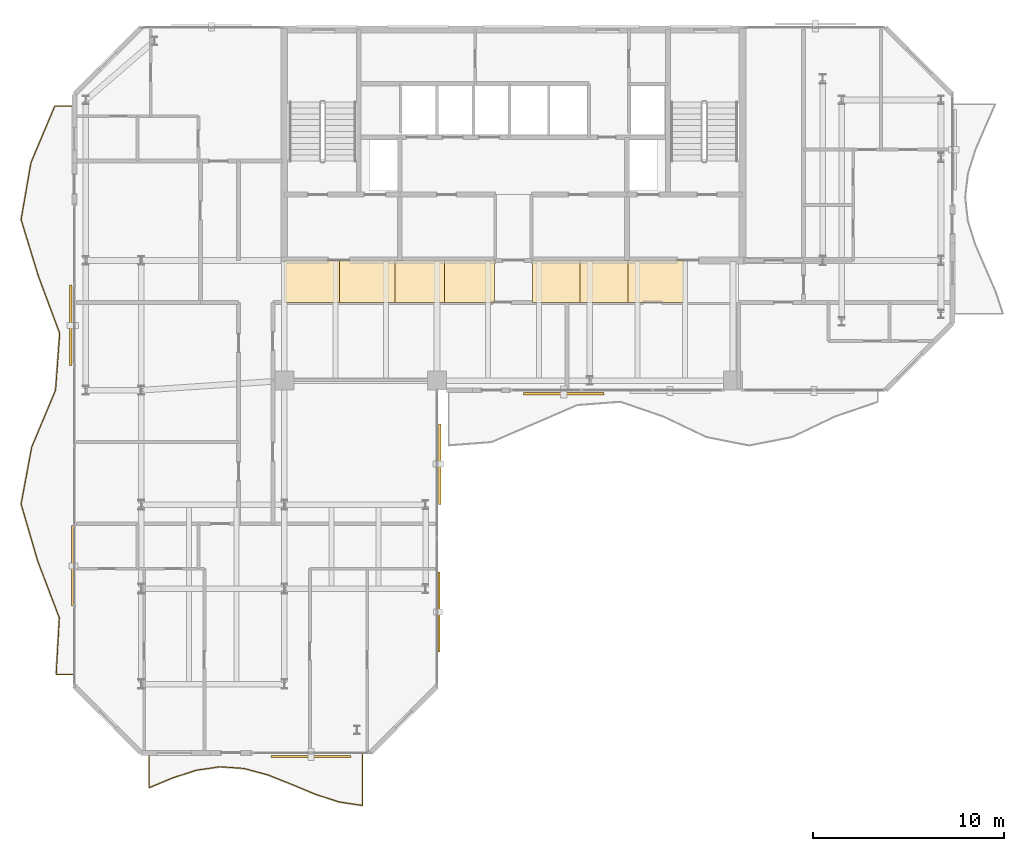
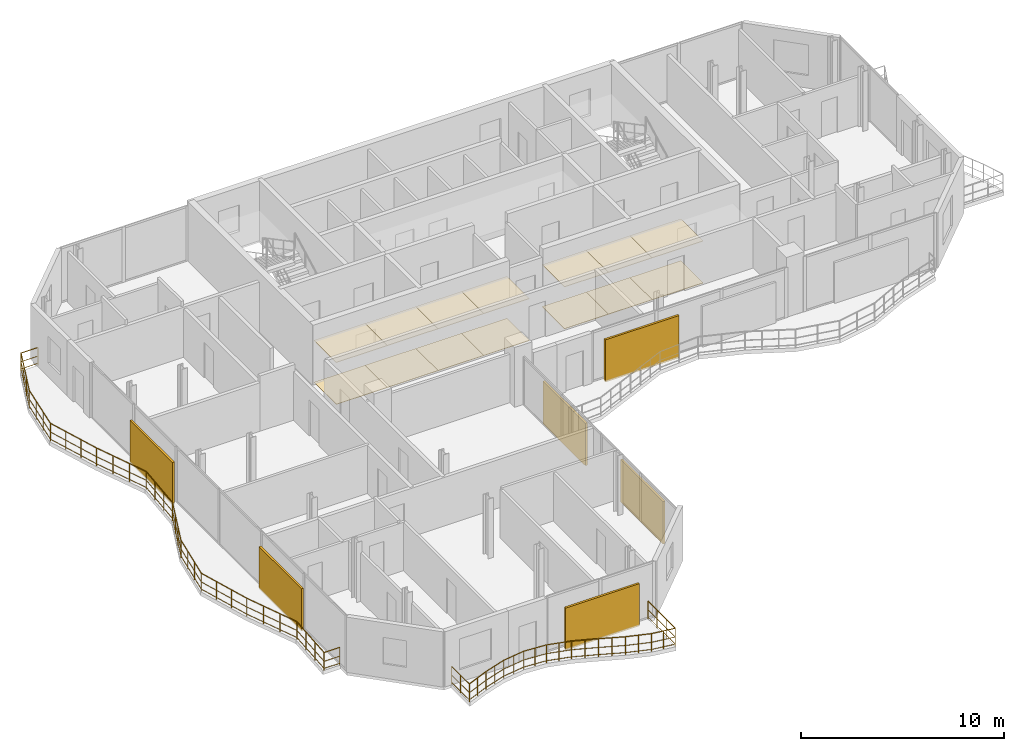
# One storey, part 21 of 23: 14 coverings, 6 shading devices, 2 railings.
"""IFC4 building model written with IfcOpenShell, lengths in metres."""

from ifc_helpers import new_model, si_unit, direction, frame, origin, origin_2d, place, context, subcontext, project, spatial, polyline, rectangle, circle, outline, extrude, material, layer, layer_set, type_object, element, save


model = new_model("IFC4")

# Units and contexts
model_context = context("Model", 3, precision=1e-05, world=origin(), true_north=direction((0.0, 1.0)))
body_context = subcontext(model_context, "Body", "Model", "MODEL_VIEW")
ifc_project = project(units=[si_unit("LENGTHUNIT", "METRE"), si_unit("AREAUNIT", "SQUARE_METRE"), si_unit("VOLUMEUNIT", "CUBIC_METRE"), si_unit("PLANEANGLEUNIT", "RADIAN"), si_unit("MASSUNIT", "GRAM", prefix="KILO")], contexts=[model_context])

# Site, building, storey
site_placement = place(None, origin())
site = spatial("IfcSite", under=ifc_project, at=site_placement, CompositionType="ELEMENT")
building_placement = place(site_placement, origin())
building = spatial("IfcBuilding", under=site, at=building_placement, Name="Catumbela Crestline Tower", CompositionType="ELEMENT")
storey_placement = place(building_placement, frame((0.0, 0.0, 197.4)))
storey = spatial("IfcBuildingStorey", under=building, at=storey_placement, Name="L51", CompositionType="ELEMENT", Elevation=197.4)

# Coverings
ifc_material_1 = material(Name="Mineral-fibre acoustic ceiling")
ifc_layer_1 = layer(ifc_material_1, 0.03, Name="Mineral-fibre acoustic ceiling")
ifc_layer_set_1 = layer_set([ifc_layer_1], Name="Mineral-fibre acoustic ceiling")
covering_type_1 = type_object("IfcCoveringType", Name="CC-AC", PredefinedType="CEILING", material=ifc_layer_set_1)
covering_1_placement = place(storey_placement, frame((0.0, 0.0, 2.52)))
element("IfcCovering", 1, at=covering_1_placement, inside=storey, type_object=covering_type_1, Name="L51 Corridor Acoustic Ceiling Bay 1", PredefinedType="CEILING", context=body_context, shape_type="SweptSolid", body=[
    extrude(outline(polyline([(16.0, 28.6), (18.9, 28.6), (18.9, 30.8), (16.0, 30.8), (16.0, 28.6)])), origin(), (0.0, 0.0, 1.0), 0.03),
])
covering_2_placement = place(storey_placement, frame((0.0, 0.0, 2.52)))
element("IfcCovering", 2, at=covering_2_placement, inside=storey, type_object=covering_type_1, Name="L51 Corridor Acoustic Ceiling Bay 2", PredefinedType="CEILING", context=body_context, shape_type="SweptSolid", body=[
    extrude(outline(polyline([(18.9, 28.6), (21.8, 28.6), (21.8, 30.8), (18.9, 30.8), (18.9, 28.6)])), origin(), (0.0, 0.0, 1.0), 0.03),
])
covering_3_placement = place(storey_placement, frame((0.0, 0.0, 2.52)))
element("IfcCovering", 3, at=covering_3_placement, inside=storey, type_object=covering_type_1, Name="L51 Corridor Acoustic Ceiling Bay 3", PredefinedType="CEILING", context=body_context, shape_type="SweptSolid", body=[
    extrude(outline(polyline([(21.8, 28.6), (24.4, 28.6), (24.4, 30.8), (21.8, 30.8), (21.8, 28.6)])), origin(), (0.0, 0.0, 1.0), 0.03),
])
covering_4_placement = place(storey_placement, frame((0.0, 0.0, 2.52)))
element("IfcCovering", 4, at=covering_4_placement, inside=storey, type_object=covering_type_1, Name="L51 Corridor Acoustic Ceiling Bay 4", PredefinedType="CEILING", context=body_context, shape_type="SweptSolid", body=[
    extrude(outline(polyline([(24.4, 28.6), (27.0, 28.6), (27.0, 30.8), (24.4, 30.8), (24.4, 28.6)])), origin(), (0.0, 0.0, 1.0), 0.03),
])
covering_5_placement = place(storey_placement, frame((0.0, 0.0, 2.52)))
element("IfcCovering", 5, at=covering_5_placement, inside=storey, type_object=covering_type_1, Name="L51 Corridor Acoustic Ceiling Bay 5", PredefinedType="CEILING", context=body_context, shape_type="SweptSolid", body=[
    extrude(outline(polyline([(29.0, 28.6), (31.5, 28.6), (31.5, 30.8), (29.0, 30.8), (29.0, 28.6)])), origin(), (0.0, 0.0, 1.0), 0.03),
])
covering_6_placement = place(storey_placement, frame((0.0, 0.0, 2.52)))
element("IfcCovering", 6, at=covering_6_placement, inside=storey, type_object=covering_type_1, Name="L51 Corridor Acoustic Ceiling Bay 6", PredefinedType="CEILING", context=body_context, shape_type="SweptSolid", body=[
    extrude(outline(polyline([(31.5, 28.6), (34.0, 28.6), (34.0, 30.8), (31.5, 30.8), (31.5, 28.6)])), origin(), (0.0, 0.0, 1.0), 0.03),
])
covering_7_placement = place(storey_placement, frame((0.0, 0.0, 2.52)))
element("IfcCovering", 7, at=covering_7_placement, inside=storey, type_object=covering_type_1, Name="L51 Corridor Acoustic Ceiling Bay 7", PredefinedType="CEILING", context=body_context, shape_type="SweptSolid", body=[
    extrude(outline(polyline([(34.0, 28.6), (36.9, 28.6), (36.9, 30.8), (34.0, 30.8), (34.0, 28.6)])), origin(), (0.0, 0.0, 1.0), 0.03),
])
ifc_material_2 = material(Name="Angolan grey-ochre granite", Category="masonry")
ifc_layer_2 = layer(ifc_material_2, 0.025, Name="Angolan grey-ochre granite")
ifc_layer_set_2 = layer_set([ifc_layer_2], Name="Angolan grey-ochre granite")
covering_type_2 = type_object("IfcCoveringType", Name="CF-GR", PredefinedType="FLOORING", material=ifc_layer_set_2)
covering_8_placement = place(storey_placement, origin())
element("IfcCovering", 8, at=covering_8_placement, inside=storey, type_object=covering_type_2, Name="L51 Corridor Granite Flooring Bay 1", PredefinedType="FLOORING", context=body_context, shape_type="SweptSolid", body=[
    extrude(outline(polyline([(16.0, 28.6), (18.9, 28.6), (18.9, 30.8), (16.0, 30.8), (16.0, 28.6)])), origin(), (0.0, 0.0, 1.0), 0.025),
])
covering_9_placement = place(storey_placement, origin())
element("IfcCovering", 9, at=covering_9_placement, inside=storey, type_object=covering_type_2, Name="L51 Corridor Granite Flooring Bay 2", PredefinedType="FLOORING", context=body_context, shape_type="SweptSolid", body=[
    extrude(outline(polyline([(18.9, 28.6), (21.8, 28.6), (21.8, 30.8), (18.9, 30.8), (18.9, 28.6)])), origin(), (0.0, 0.0, 1.0), 0.025),
])
covering_10_placement = place(storey_placement, origin())
element("IfcCovering", 10, at=covering_10_placement, inside=storey, type_object=covering_type_2, Name="L51 Corridor Granite Flooring Bay 3", PredefinedType="FLOORING", context=body_context, shape_type="SweptSolid", body=[
    extrude(outline(polyline([(21.8, 28.6), (24.4, 28.6), (24.4, 30.8), (21.8, 30.8), (21.8, 28.6)])), origin(), (0.0, 0.0, 1.0), 0.025),
])
covering_11_placement = place(storey_placement, origin())
element("IfcCovering", 11, at=covering_11_placement, inside=storey, type_object=covering_type_2, Name="L51 Corridor Granite Flooring Bay 4", PredefinedType="FLOORING", context=body_context, shape_type="SweptSolid", body=[
    extrude(outline(polyline([(24.4, 28.6), (27.0, 28.6), (27.0, 30.8), (24.4, 30.8), (24.4, 28.6)])), origin(), (0.0, 0.0, 1.0), 0.025),
])
covering_12_placement = place(storey_placement, origin())
element("IfcCovering", 12, at=covering_12_placement, inside=storey, type_object=covering_type_2, Name="L51 Corridor Granite Flooring Bay 5", PredefinedType="FLOORING", context=body_context, shape_type="SweptSolid", body=[
    extrude(outline(polyline([(29.0, 28.6), (31.5, 28.6), (31.5, 30.8), (29.0, 30.8), (29.0, 28.6)])), origin(), (0.0, 0.0, 1.0), 0.025),
])
covering_13_placement = place(storey_placement, origin())
element("IfcCovering", 13, at=covering_13_placement, inside=storey, type_object=covering_type_2, Name="L51 Corridor Granite Flooring Bay 6", PredefinedType="FLOORING", context=body_context, shape_type="SweptSolid", body=[
    extrude(outline(polyline([(31.5, 28.6), (34.0, 28.6), (34.0, 30.8), (31.5, 30.8), (31.5, 28.6)])), origin(), (0.0, 0.0, 1.0), 0.025),
])
covering_14_placement = place(storey_placement, origin())
element("IfcCovering", 14, at=covering_14_placement, inside=storey, type_object=covering_type_2, Name="L51 Corridor Granite Flooring Bay 7", PredefinedType="FLOORING", context=body_context, shape_type="SweptSolid", body=[
    extrude(outline(polyline([(34.0, 28.6), (36.9, 28.6), (36.9, 30.8), (34.0, 30.8), (34.0, 28.6)])), origin(), (0.0, 0.0, 1.0), 0.025),
])

# Railings
ifc_material_3 = material(Name="Stainless steel EN 1.4401", Category="steel")
railing_type = type_object("IfcRailingType", Name="RB-1100", PredefinedType="BALUSTRADE", material=ifc_material_3)
railing_1_placement = place(storey_placement, frame((8.9, 4.94, 0.0)))
element("IfcRailing", 15, at=railing_1_placement, inside=storey, type_object=railing_type, Name="L51 Private Wave Balcony Balustrade 3", PredefinedType="BALUSTRADE", context=body_context, shape_type="SweptSolid", body=[
    extrude(circle(Radius=0.024, at=origin_2d()), frame((0.0, 0.0, 1.076), z_axis=(0.0, -1.0, 0.0), x_axis=(1.0, 0.0, 0.0)), (0.0, 0.0, 1.0), 1.7666),
    extrude(circle(Radius=0.0156, at=origin_2d()), frame((0.0, 0.0, 0.55), z_axis=(0.0, -1.0, 0.0), x_axis=(1.0, 0.0, 0.0)), (0.0, 0.0, 1.0), 1.7666),
    extrude(circle(Radius=0.0156, at=origin_2d()), frame((0.0, 0.0, 0.12), z_axis=(0.0, -1.0, 0.0), x_axis=(1.0, 0.0, 0.0)), (0.0, 0.0, 1.0), 1.7666),
    extrude(circle(Radius=0.024, at=origin_2d()), frame((0.0, -1.7666, 1.076), z_axis=(0.923287517011, 0.384109568914, 0.0), x_axis=(-0.384109568914, 0.923287517011, 0.0)), (0.0, 0.0, 1.0), 1.3478),
    extrude(circle(Radius=0.0156, at=origin_2d()), frame((0.0, -1.7666, 0.55), z_axis=(0.923287517011, 0.384109568914, 0.0), x_axis=(-0.384109568914, 0.923287517011, 0.0)), (0.0, 0.0, 1.0), 1.3478),
    extrude(circle(Radius=0.0156, at=origin_2d()), frame((0.0, -1.7666, 0.12), z_axis=(0.923287517011, 0.384109568914, 0.0), x_axis=(-0.384109568914, 0.923287517011, 0.0)), (0.0, 0.0, 1.0), 1.3478),
    extrude(circle(Radius=0.024, at=origin_2d()), frame((1.2444, -1.2489, 1.076), z_axis=(0.951339765212, 0.30814388056, 0.0), x_axis=(-0.30814388056, 0.951339765212, 0.0)), (0.0, 0.0, 1.0), 1.3082),
    extrude(circle(Radius=0.0156, at=origin_2d()), frame((1.2444, -1.2489, 0.55), z_axis=(0.951339765212, 0.30814388056, 0.0), x_axis=(-0.30814388056, 0.951339765212, 0.0)), (0.0, 0.0, 1.0), 1.3082),
    extrude(circle(Radius=0.0156, at=origin_2d()), frame((1.2444, -1.2489, 0.12), z_axis=(0.951339765212, 0.30814388056, 0.0), x_axis=(-0.30814388056, 0.951339765212, 0.0)), (0.0, 0.0, 1.0), 1.3082),
    extrude(circle(Radius=0.024, at=origin_2d()), frame((2.4889, -0.8458, 1.076), z_axis=(0.989530142127, 0.144326358724, 0.0), x_axis=(-0.144326358724, 0.989530142127, 0.0)), (0.0, 0.0, 1.0), 1.2576),
    extrude(circle(Radius=0.0156, at=origin_2d()), frame((2.4889, -0.8458, 0.55), z_axis=(0.989530142127, 0.144326358724, 0.0), x_axis=(-0.144326358724, 0.989530142127, 0.0)), (0.0, 0.0, 1.0), 1.2576),
    extrude(circle(Radius=0.0156, at=origin_2d()), frame((2.4889, -0.8458, 0.12), z_axis=(0.989530142127, 0.144326358724, 0.0), x_axis=(-0.144326358724, 0.989530142127, 0.0)), (0.0, 0.0, 1.0), 1.2576),
    extrude(circle(Radius=0.024, at=origin_2d()), frame((3.7333, -0.6643, 1.076), z_axis=(0.997492357437, -0.070774266904, 0.0), x_axis=(0.070774266904, 0.997492357437, 0.0)), (0.0, 0.0, 1.0), 1.2476),
    extrude(circle(Radius=0.0156, at=origin_2d()), frame((3.7333, -0.6643, 0.55), z_axis=(0.997492357437, -0.070774266904, 0.0), x_axis=(0.070774266904, 0.997492357437, 0.0)), (0.0, 0.0, 1.0), 1.2476),
    extrude(circle(Radius=0.0156, at=origin_2d()), frame((3.7333, -0.6643, 0.12), z_axis=(0.997492357437, -0.070774266904, 0.0), x_axis=(0.070774266904, 0.997492357437, 0.0)), (0.0, 0.0, 1.0), 1.2476),
    extrude(circle(Radius=0.024, at=origin_2d()), frame((4.9778, -0.7526, 1.076), z_axis=(0.965699627177, -0.259661760892, 0.0), x_axis=(0.259661760892, 0.965699627177, 0.0)), (0.0, 0.0, 1.0), 1.2886),
    extrude(circle(Radius=0.0156, at=origin_2d()), frame((4.9778, -0.7526, 0.55), z_axis=(0.965699627177, -0.259661760892, 0.0), x_axis=(0.259661760892, 0.965699627177, 0.0)), (0.0, 0.0, 1.0), 1.2886),
    extrude(circle(Radius=0.0156, at=origin_2d()), frame((4.9778, -0.7526, 0.12), z_axis=(0.965699627177, -0.259661760892, 0.0), x_axis=(0.259661760892, 0.965699627177, 0.0)), (0.0, 0.0, 1.0), 1.2886),
    extrude(circle(Radius=0.024, at=origin_2d()), frame((6.2222, -1.0872, 1.076), z_axis=(0.929938140498, -0.36771599754, 0.0), x_axis=(0.36771599754, 0.929938140498, 0.0)), (0.0, 0.0, 1.0), 1.3383),
    extrude(circle(Radius=0.0156, at=origin_2d()), frame((6.2222, -1.0872, 0.55), z_axis=(0.929938140498, -0.36771599754, 0.0), x_axis=(0.36771599754, 0.929938140498, 0.0)), (0.0, 0.0, 1.0), 1.3383),
    extrude(circle(Radius=0.0156, at=origin_2d()), frame((6.2222, -1.0872, 0.12), z_axis=(0.929938140498, -0.36771599754, 0.0), x_axis=(0.36771599754, 0.929938140498, 0.0)), (0.0, 0.0, 1.0), 1.3383),
    extrude(circle(Radius=0.024, at=origin_2d()), frame((7.4667, -1.5793, 1.076), z_axis=(0.92299790371, -0.38480497625, 0.0), x_axis=(0.38480497625, 0.92299790371, 0.0)), (0.0, 0.0, 1.0), 1.3482),
    extrude(circle(Radius=0.0156, at=origin_2d()), frame((7.4667, -1.5793, 0.55), z_axis=(0.92299790371, -0.38480497625, 0.0), x_axis=(0.38480497625, 0.92299790371, 0.0)), (0.0, 0.0, 1.0), 1.3482),
    extrude(circle(Radius=0.0156, at=origin_2d()), frame((7.4667, -1.5793, 0.12), z_axis=(0.92299790371, -0.38480497625, 0.0), x_axis=(0.38480497625, 0.92299790371, 0.0)), (0.0, 0.0, 1.0), 1.3482),
    extrude(circle(Radius=0.024, at=origin_2d()), frame((8.7111, -2.0981, 1.076), z_axis=(0.950282150151, -0.311390165393, 0.0), x_axis=(0.311390165393, 0.950282150151, 0.0)), (0.0, 0.0, 1.0), 1.3096),
    extrude(circle(Radius=0.0156, at=origin_2d()), frame((8.7111, -2.0981, 0.55), z_axis=(0.950282150151, -0.311390165393, 0.0), x_axis=(0.311390165393, 0.950282150151, 0.0)), (0.0, 0.0, 1.0), 1.3096),
    extrude(circle(Radius=0.0156, at=origin_2d()), frame((8.7111, -2.0981, 0.12), z_axis=(0.950282150151, -0.311390165393, 0.0), x_axis=(0.311390165393, 0.950282150151, 0.0)), (0.0, 0.0, 1.0), 1.3096),
    extrude(circle(Radius=0.024, at=origin_2d()), frame((9.9556, -2.5059, 1.076), z_axis=(0.98873261545, -0.149692401761, 0.0), x_axis=(0.149692401761, 0.98873261545, 0.0)), (0.0, 0.0, 1.0), 1.2586),
    extrude(circle(Radius=0.0156, at=origin_2d()), frame((9.9556, -2.5059, 0.55), z_axis=(0.98873261545, -0.149692401761, 0.0), x_axis=(0.149692401761, 0.98873261545, 0.0)), (0.0, 0.0, 1.0), 1.2586),
    extrude(circle(Radius=0.0156, at=origin_2d()), frame((9.9556, -2.5059, 0.12), z_axis=(0.98873261545, -0.149692401761, 0.0), x_axis=(0.149692401761, 0.98873261545, 0.0)), (0.0, 0.0, 1.0), 1.2586),
    extrude(circle(Radius=0.024, at=origin_2d()), frame((11.2, -2.6943, 1.076), z_axis=(0.0, 1.0, 0.0), x_axis=(-1.0, 0.0, 0.0)), (0.0, 0.0, 1.0), 2.6943),
    extrude(circle(Radius=0.0156, at=origin_2d()), frame((11.2, -2.6943, 0.55), z_axis=(0.0, 1.0, 0.0), x_axis=(-1.0, 0.0, 0.0)), (0.0, 0.0, 1.0), 2.6943),
    extrude(circle(Radius=0.0156, at=origin_2d()), frame((11.2, -2.6943, 0.12), z_axis=(0.0, 1.0, 0.0), x_axis=(-1.0, 0.0, 0.0)), (0.0, 0.0, 1.0), 2.6943),
    extrude(circle(Radius=0.021, at=origin_2d()), origin(), (0.0, 0.0, 1.0), 1.052),
    extrude(circle(Radius=0.021, at=origin_2d()), frame((0.0, -0.8833, 0.0)), (0.0, 0.0, 1.0), 1.052),
    extrude(circle(Radius=0.021, at=origin_2d()), frame((0.0, -1.7666, 0.0)), (0.0, 0.0, 1.0), 1.052),
    extrude(circle(Radius=0.021, at=origin_2d()), frame((0.6222, -1.5078, 0.0)), (0.0, 0.0, 1.0), 1.052),
    extrude(circle(Radius=0.021, at=origin_2d()), frame((1.2444, -1.2489, 0.0)), (0.0, 0.0, 1.0), 1.052),
    extrude(circle(Radius=0.021, at=origin_2d()), frame((1.8666, -1.0474, 0.0)), (0.0, 0.0, 1.0), 1.052),
    extrude(circle(Radius=0.021, at=origin_2d()), frame((2.4889, -0.8458, 0.0)), (0.0, 0.0, 1.0), 1.052),
    extrude(circle(Radius=0.021, at=origin_2d()), frame((3.1111, -0.7551, 0.0)), (0.0, 0.0, 1.0), 1.052),
    extrude(circle(Radius=0.021, at=origin_2d()), frame((3.7333, -0.6643, 0.0)), (0.0, 0.0, 1.0), 1.052),
    extrude(circle(Radius=0.021, at=origin_2d()), frame((4.3556, -0.7085, 0.0)), (0.0, 0.0, 1.0), 1.052),
    extrude(circle(Radius=0.021, at=origin_2d()), frame((4.9778, -0.7526, 0.0)), (0.0, 0.0, 1.0), 1.052),
    extrude(circle(Radius=0.021, at=origin_2d()), frame((5.6, -0.9199, 0.0)), (0.0, 0.0, 1.0), 1.052),
    extrude(circle(Radius=0.021, at=origin_2d()), frame((6.2222, -1.0872, 0.0)), (0.0, 0.0, 1.0), 1.052),
    extrude(circle(Radius=0.021, at=origin_2d()), frame((6.8444, -1.3333, 0.0)), (0.0, 0.0, 1.0), 1.052),
    extrude(circle(Radius=0.021, at=origin_2d()), frame((7.4667, -1.5793, 0.0)), (0.0, 0.0, 1.0), 1.052),
    extrude(circle(Radius=0.021, at=origin_2d()), frame((8.0889, -1.8387, 0.0)), (0.0, 0.0, 1.0), 1.052),
    extrude(circle(Radius=0.021, at=origin_2d()), frame((8.7111, -2.0981, 0.0)), (0.0, 0.0, 1.0), 1.052),
    extrude(circle(Radius=0.021, at=origin_2d()), frame((9.3334, -2.302, 0.0)), (0.0, 0.0, 1.0), 1.052),
    extrude(circle(Radius=0.021, at=origin_2d()), frame((9.9556, -2.5059, 0.0)), (0.0, 0.0, 1.0), 1.052),
    extrude(circle(Radius=0.021, at=origin_2d()), frame((10.5778, -2.6001, 0.0)), (0.0, 0.0, 1.0), 1.052),
    extrude(circle(Radius=0.021, at=origin_2d()), frame((11.2, -2.6943, 0.0)), (0.0, 0.0, 1.0), 1.052),
    extrude(circle(Radius=0.021, at=origin_2d()), frame((11.2, -1.7962, 0.0)), (0.0, 0.0, 1.0), 1.052),
    extrude(circle(Radius=0.021, at=origin_2d()), frame((11.2, -0.8981, 0.0)), (0.0, 0.0, 1.0), 1.052),
    extrude(circle(Radius=0.021, at=origin_2d()), frame((11.2, 0.0, 0.0)), (0.0, 0.0, 1.0), 1.052),
])
railing_2_placement = place(storey_placement, frame((4.94, 38.9, 0.0)))
element("IfcRailing", 16, at=railing_2_placement, inside=storey, type_object=railing_type, Name="L51 Private Wave Balcony Balustrade 4", PredefinedType="BALUSTRADE", context=body_context, shape_type="SweptSolid", body=[
    extrude(circle(Radius=0.024, at=origin_2d()), frame((0.0, 0.0, 1.076), z_axis=(-1.0, 0.0, 0.0), x_axis=(0.0, -1.0, 0.0)), (0.0, 0.0, 1.0), 0.9588),
    extrude(circle(Radius=0.0156, at=origin_2d()), frame((0.0, 0.0, 0.55), z_axis=(-1.0, 0.0, 0.0), x_axis=(0.0, -1.0, 0.0)), (0.0, 0.0, 1.0), 0.9588),
    extrude(circle(Radius=0.0156, at=origin_2d()), frame((0.0, 0.0, 0.12), z_axis=(-1.0, 0.0, 0.0), x_axis=(0.0, -1.0, 0.0)), (0.0, 0.0, 1.0), 0.9588),
    extrude(circle(Radius=0.024, at=origin_2d()), frame((-0.9588, 0.0, 1.076), z_axis=(-0.388126128532, -0.92160626536, 0.0), x_axis=(0.92160626536, -0.388126128532, 0.0)), (0.0, 0.0, 1.0), 3.2335),
    extrude(circle(Radius=0.0156, at=origin_2d()), frame((-0.9588, 0.0, 0.55), z_axis=(-0.388126128532, -0.92160626536, 0.0), x_axis=(0.92160626536, -0.388126128532, 0.0)), (0.0, 0.0, 1.0), 3.2335),
    extrude(circle(Radius=0.0156, at=origin_2d()), frame((-0.9588, 0.0, 0.12), z_axis=(-0.388126128532, -0.92160626536, 0.0), x_axis=(0.92160626536, -0.388126128532, 0.0)), (0.0, 0.0, 1.0), 3.2335),
    extrude(circle(Radius=0.024, at=origin_2d()), frame((-2.2138, -2.98, 1.076), z_axis=(-0.170679721807, -0.985326561381, 0.0), x_axis=(0.985326561381, -0.170679721807, 0.0)), (0.0, 0.0, 1.0), 3.0244),
    extrude(circle(Radius=0.0156, at=origin_2d()), frame((-2.2138, -2.98, 0.55), z_axis=(-0.170679721807, -0.985326561381, 0.0), x_axis=(0.985326561381, -0.170679721807, 0.0)), (0.0, 0.0, 1.0), 3.0244),
    extrude(circle(Radius=0.0156, at=origin_2d()), frame((-2.2138, -2.98, 0.12), z_axis=(-0.170679721807, -0.985326561381, 0.0), x_axis=(0.985326561381, -0.170679721807, 0.0)), (0.0, 0.0, 1.0), 3.0244),
    extrude(circle(Radius=0.024, at=origin_2d()), frame((-2.73, -5.96, 1.076), z_axis=(0.292642421553, -0.956221947619, 0.0), x_axis=(0.956221947619, 0.292642421553, 0.0)), (0.0, 0.0, 1.0), 3.1164),
    extrude(circle(Radius=0.0156, at=origin_2d()), frame((-2.73, -5.96, 0.55), z_axis=(0.292642421553, -0.956221947619, 0.0), x_axis=(0.956221947619, 0.292642421553, 0.0)), (0.0, 0.0, 1.0), 3.1164),
    extrude(circle(Radius=0.0156, at=origin_2d()), frame((-2.73, -5.96, 0.12), z_axis=(0.292642421553, -0.956221947619, 0.0), x_axis=(0.956221947619, 0.292642421553, 0.0)), (0.0, 0.0, 1.0), 3.1164),
    extrude(circle(Radius=0.024, at=origin_2d()), frame((-1.818, -8.94, 1.076), z_axis=(0.349110106043, -0.93708171141, 0.0), x_axis=(0.93708171141, 0.349110106043, 0.0)), (0.0, 0.0, 1.0), 3.1801),
    extrude(circle(Radius=0.0156, at=origin_2d()), frame((-1.818, -8.94, 0.55), z_axis=(0.349110106043, -0.93708171141, 0.0), x_axis=(0.93708171141, 0.349110106043, 0.0)), (0.0, 0.0, 1.0), 3.1801),
    extrude(circle(Radius=0.0156, at=origin_2d()), frame((-1.818, -8.94, 0.12), z_axis=(0.349110106043, -0.93708171141, 0.0), x_axis=(0.93708171141, 0.349110106043, 0.0)), (0.0, 0.0, 1.0), 3.1801),
    extrude(circle(Radius=0.024, at=origin_2d()), frame((-0.7078, -11.92, 1.076), z_axis=(-0.072926109992, -0.997337346379, 0.0), x_axis=(0.997337346379, -0.072926109992, 0.0)), (0.0, 0.0, 1.0), 2.988),
    extrude(circle(Radius=0.0156, at=origin_2d()), frame((-0.7078, -11.92, 0.55), z_axis=(-0.072926109992, -0.997337346379, 0.0), x_axis=(0.997337346379, -0.072926109992, 0.0)), (0.0, 0.0, 1.0), 2.988),
    extrude(circle(Radius=0.0156, at=origin_2d()), frame((-0.7078, -11.92, 0.12), z_axis=(-0.072926109992, -0.997337346379, 0.0), x_axis=(0.997337346379, -0.072926109992, 0.0)), (0.0, 0.0, 1.0), 2.988),
    extrude(circle(Radius=0.024, at=origin_2d()), frame((-0.9257, -14.9, 1.076), z_axis=(-0.386364078841, -0.922346355, 0.0), x_axis=(0.922346355, -0.386364078841, 0.0)), (0.0, 0.0, 1.0), 3.2309),
    extrude(circle(Radius=0.0156, at=origin_2d()), frame((-0.9257, -14.9, 0.55), z_axis=(-0.386364078841, -0.922346355, 0.0), x_axis=(0.922346355, -0.386364078841, 0.0)), (0.0, 0.0, 1.0), 3.2309),
    extrude(circle(Radius=0.0156, at=origin_2d()), frame((-0.9257, -14.9, 0.12), z_axis=(-0.386364078841, -0.922346355, 0.0), x_axis=(0.922346355, -0.386364078841, 0.0)), (0.0, 0.0, 1.0), 3.2309),
    extrude(circle(Radius=0.024, at=origin_2d()), frame((-2.174, -17.88, 1.076), z_axis=(-0.183412106948, -0.983036112778, 0.0), x_axis=(0.983036112778, -0.183412106948, 0.0)), (0.0, 0.0, 1.0), 3.0314),
    extrude(circle(Radius=0.0156, at=origin_2d()), frame((-2.174, -17.88, 0.55), z_axis=(-0.183412106948, -0.983036112778, 0.0), x_axis=(0.983036112778, -0.183412106948, 0.0)), (0.0, 0.0, 1.0), 3.0314),
    extrude(circle(Radius=0.0156, at=origin_2d()), frame((-2.174, -17.88, 0.12), z_axis=(-0.183412106948, -0.983036112778, 0.0), x_axis=(0.983036112778, -0.183412106948, 0.0)), (0.0, 0.0, 1.0), 3.0314),
    extrude(circle(Radius=0.024, at=origin_2d()), frame((-2.73, -20.86, 1.076), z_axis=(0.279445663044, -0.96016150798, 0.0), x_axis=(0.96016150798, 0.279445663044, 0.0)), (0.0, 0.0, 1.0), 3.1036),
    extrude(circle(Radius=0.0156, at=origin_2d()), frame((-2.73, -20.86, 0.55), z_axis=(0.279445663044, -0.96016150798, 0.0), x_axis=(0.96016150798, 0.279445663044, 0.0)), (0.0, 0.0, 1.0), 3.1036),
    extrude(circle(Radius=0.0156, at=origin_2d()), frame((-2.73, -20.86, 0.12), z_axis=(0.279445663044, -0.96016150798, 0.0), x_axis=(0.96016150798, 0.279445663044, 0.0)), (0.0, 0.0, 1.0), 3.1036),
    extrude(circle(Radius=0.024, at=origin_2d()), frame((-1.8627, -23.84, 1.076), z_axis=(0.355738394707, -0.93458557368, 0.0), x_axis=(0.93458557368, 0.355738394707, 0.0)), (0.0, 0.0, 1.0), 3.1886),
    extrude(circle(Radius=0.0156, at=origin_2d()), frame((-1.8627, -23.84, 0.55), z_axis=(0.355738394707, -0.93458557368, 0.0), x_axis=(0.93458557368, 0.355738394707, 0.0)), (0.0, 0.0, 1.0), 3.1886),
    extrude(circle(Radius=0.0156, at=origin_2d()), frame((-1.8627, -23.84, 0.12), z_axis=(0.355738394707, -0.93458557368, 0.0), x_axis=(0.93458557368, 0.355738394707, 0.0)), (0.0, 0.0, 1.0), 3.1886),
    extrude(circle(Radius=0.024, at=origin_2d()), frame((-0.7284, -26.82, 1.076), z_axis=(-0.055484865065, -0.998459528348, 0.0), x_axis=(0.998459528348, -0.055484865065, 0.0)), (0.0, 0.0, 1.0), 2.9846),
    extrude(circle(Radius=0.0156, at=origin_2d()), frame((-0.7284, -26.82, 0.55), z_axis=(-0.055484865065, -0.998459528348, 0.0), x_axis=(0.998459528348, -0.055484865065, 0.0)), (0.0, 0.0, 1.0), 2.9846),
    extrude(circle(Radius=0.0156, at=origin_2d()), frame((-0.7284, -26.82, 0.12), z_axis=(-0.055484865065, -0.998459528348, 0.0), x_axis=(0.998459528348, -0.055484865065, 0.0)), (0.0, 0.0, 1.0), 2.9846),
    extrude(circle(Radius=0.024, at=origin_2d()), frame((-0.894, -29.8, 1.076), z_axis=(1.0, 0.0, 0.0), x_axis=(0.0, 1.0, 0.0)), (0.0, 0.0, 1.0), 0.894),
    extrude(circle(Radius=0.0156, at=origin_2d()), frame((-0.894, -29.8, 0.55), z_axis=(1.0, 0.0, 0.0), x_axis=(0.0, 1.0, 0.0)), (0.0, 0.0, 1.0), 0.894),
    extrude(circle(Radius=0.0156, at=origin_2d()), frame((-0.894, -29.8, 0.12), z_axis=(1.0, 0.0, 0.0), x_axis=(0.0, 1.0, 0.0)), (0.0, 0.0, 1.0), 0.894),
    extrude(circle(Radius=0.021, at=origin_2d()), origin(), (0.0, 0.0, 1.0), 1.052),
    extrude(circle(Radius=0.021, at=origin_2d()), frame((-0.9588, 0.0, 0.0)), (0.0, 0.0, 1.0), 1.052),
    extrude(circle(Radius=0.021, at=origin_2d()), frame((-1.3771, -0.9933, 0.0)), (0.0, 0.0, 1.0), 1.052),
    extrude(circle(Radius=0.021, at=origin_2d()), frame((-1.7955, -1.9867, 0.0)), (0.0, 0.0, 1.0), 1.052),
    extrude(circle(Radius=0.021, at=origin_2d()), frame((-2.2138, -2.98, 0.0)), (0.0, 0.0, 1.0), 1.052),
    extrude(circle(Radius=0.021, at=origin_2d()), frame((-2.3859, -3.9733, 0.0)), (0.0, 0.0, 1.0), 1.052),
    extrude(circle(Radius=0.021, at=origin_2d()), frame((-2.5579, -4.9667, 0.0)), (0.0, 0.0, 1.0), 1.052),
    extrude(circle(Radius=0.021, at=origin_2d()), frame((-2.73, -5.96, 0.0)), (0.0, 0.0, 1.0), 1.052),
    extrude(circle(Radius=0.021, at=origin_2d()), frame((-2.426, -6.9533, 0.0)), (0.0, 0.0, 1.0), 1.052),
    extrude(circle(Radius=0.021, at=origin_2d()), frame((-2.122, -7.9467, 0.0)), (0.0, 0.0, 1.0), 1.052),
    extrude(circle(Radius=0.021, at=origin_2d()), frame((-1.818, -8.94, 0.0)), (0.0, 0.0, 1.0), 1.052),
    extrude(circle(Radius=0.021, at=origin_2d()), frame((-1.4479, -9.9333, 0.0)), (0.0, 0.0, 1.0), 1.052),
    extrude(circle(Radius=0.021, at=origin_2d()), frame((-1.0779, -10.9267, 0.0)), (0.0, 0.0, 1.0), 1.052),
    extrude(circle(Radius=0.021, at=origin_2d()), frame((-0.7078, -11.92, 0.0)), (0.0, 0.0, 1.0), 1.052),
    extrude(circle(Radius=0.021, at=origin_2d()), frame((-0.7804, -12.9133, 0.0)), (0.0, 0.0, 1.0), 1.052),
    extrude(circle(Radius=0.021, at=origin_2d()), frame((-0.8531, -13.9067, 0.0)), (0.0, 0.0, 1.0), 1.052),
    extrude(circle(Radius=0.021, at=origin_2d()), frame((-0.9257, -14.9, 0.0)), (0.0, 0.0, 1.0), 1.052),
    extrude(circle(Radius=0.021, at=origin_2d()), frame((-1.3418, -15.8933, 0.0)), (0.0, 0.0, 1.0), 1.052),
    extrude(circle(Radius=0.021, at=origin_2d()), frame((-1.7579, -16.8867, 0.0)), (0.0, 0.0, 1.0), 1.052),
    extrude(circle(Radius=0.021, at=origin_2d()), frame((-2.174, -17.88, 0.0)), (0.0, 0.0, 1.0), 1.052),
    extrude(circle(Radius=0.021, at=origin_2d()), frame((-2.3593, -18.8733, 0.0)), (0.0, 0.0, 1.0), 1.052),
    extrude(circle(Radius=0.021, at=origin_2d()), frame((-2.5447, -19.8667, 0.0)), (0.0, 0.0, 1.0), 1.052),
    extrude(circle(Radius=0.021, at=origin_2d()), frame((-2.73, -20.86, 0.0)), (0.0, 0.0, 1.0), 1.052),
    extrude(circle(Radius=0.021, at=origin_2d()), frame((-2.4409, -21.8533, 0.0)), (0.0, 0.0, 1.0), 1.052),
    extrude(circle(Radius=0.021, at=origin_2d()), frame((-2.1518, -22.8467, 0.0)), (0.0, 0.0, 1.0), 1.052),
    extrude(circle(Radius=0.021, at=origin_2d()), frame((-1.8627, -23.84, 0.0)), (0.0, 0.0, 1.0), 1.052),
    extrude(circle(Radius=0.021, at=origin_2d()), frame((-1.4846, -24.8333, 0.0)), (0.0, 0.0, 1.0), 1.052),
    extrude(circle(Radius=0.021, at=origin_2d()), frame((-1.1065, -25.8267, 0.0)), (0.0, 0.0, 1.0), 1.052),
    extrude(circle(Radius=0.021, at=origin_2d()), frame((-0.7284, -26.82, 0.0)), (0.0, 0.0, 1.0), 1.052),
    extrude(circle(Radius=0.021, at=origin_2d()), frame((-0.7836, -27.8133, 0.0)), (0.0, 0.0, 1.0), 1.052),
    extrude(circle(Radius=0.021, at=origin_2d()), frame((-0.8388, -28.8067, 0.0)), (0.0, 0.0, 1.0), 1.052),
    extrude(circle(Radius=0.021, at=origin_2d()), frame((-0.894, -29.8, 0.0)), (0.0, 0.0, 1.0), 1.052),
    extrude(circle(Radius=0.021, at=origin_2d()), frame((0.0, -29.8, 0.0)), (0.0, 0.0, 1.0), 1.052),
])

# Shading devices
ifc_material_4 = material(Name="Extruded terracotta ceramic", Category="masonry")
shading_device_type_1 = type_object("IfcShadingDeviceType", Name="ST-180", PredefinedType="USERDEFINED", material=ifc_material_4)
for number, where, z_axis, x_axis, name in (
    (17, (24.099, 12.375, -0.1), (0.0, 0.0, 1.0), (0.0, 1.0, 0.0), "L51 Perforated Terracotta Solar Screen 609 (180 mm)"),
    (18, (4.901, 14.8, -0.1), (0.0, 0.0, 1.0), (0.0, -1.0, 0.0), "L51 Perforated Terracotta Solar Screen 618 (180 mm)"),
):
    element("IfcShadingDevice", number, at=place(storey_placement, frame(where, z_axis=z_axis, x_axis=x_axis)), inside=storey, type_object=shading_device_type_1, Name=name, ObjectType="SCREEN", PredefinedType="USERDEFINED", context=body_context, shape_type="SweptSolid", body=[
        extrude(rectangle(XDim=4.2, YDim=0.12, at=origin_2d()), origin(), (0.0, 0.0, 1.0), 2.55),
    ])
shading_device_type_2 = type_object("IfcShadingDeviceType", Name="ST-260", PredefinedType="USERDEFINED", material=ifc_material_4)
shading_device_placement = place(storey_placement, frame((24.143, 20.125, -0.1), z_axis=(0.0, 0.0, 1.0), x_axis=(0.0, 1.0, 0.0)))
element("IfcShadingDevice", 19, at=shading_device_placement, inside=storey, type_object=shading_device_type_2, Name="L51 Perforated Terracotta Solar Screen 610 (260 mm)", ObjectType="SCREEN", PredefinedType="USERDEFINED", context=body_context, shape_type="SweptSolid", body=[
    extrude(rectangle(XDim=4.2, YDim=0.12, at=origin_2d()), origin(), (0.0, 0.0, 1.0), 2.55),
])
shading_device_type_3 = type_object("IfcShadingDeviceType", Name="ST-340", PredefinedType="USERDEFINED", material=ifc_material_4)
for number, where, z_axis, x_axis, name in (
    (20, (17.4, 4.813, -0.1), (0.0, 0.0, 1.0), (1.0, 0.0, 0.0), "L51 Perforated Terracotta Solar Screen 608 (340 mm)"),
    (21, (30.6375, 23.813, -0.1), (0.0, 0.0, 1.0), (1.0, 0.0, 0.0), "L51 Perforated Terracotta Solar Screen 611 (340 mm)"),
    (22, (4.813, 27.4, -0.1), (0.0, 0.0, 1.0), (0.0, -1.0, 0.0), "L51 Perforated Terracotta Solar Screen 617 (340 mm)"),
):
    element("IfcShadingDevice", number, at=place(storey_placement, frame(where, z_axis=z_axis, x_axis=x_axis)), inside=storey, type_object=shading_device_type_3, Name=name, ObjectType="SCREEN", PredefinedType="USERDEFINED", context=body_context, shape_type="SweptSolid", body=[
        extrude(rectangle(XDim=4.2, YDim=0.12, at=origin_2d()), origin(), (0.0, 0.0, 1.0), 2.55),
    ])

save(model, "model.ifc")
